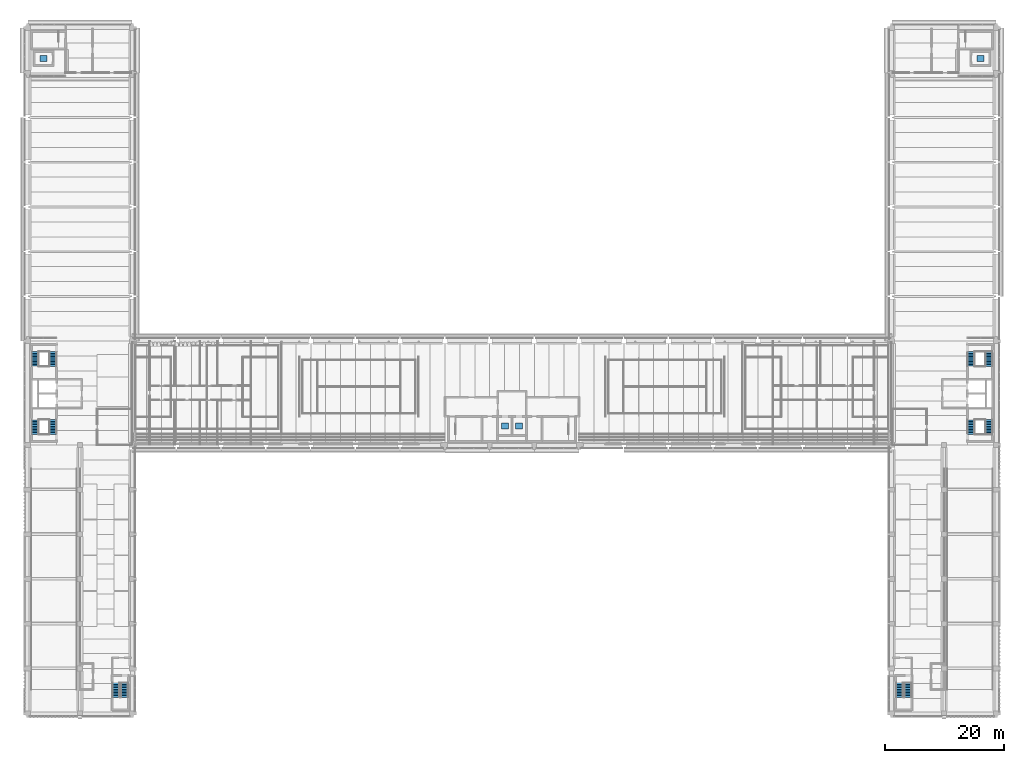
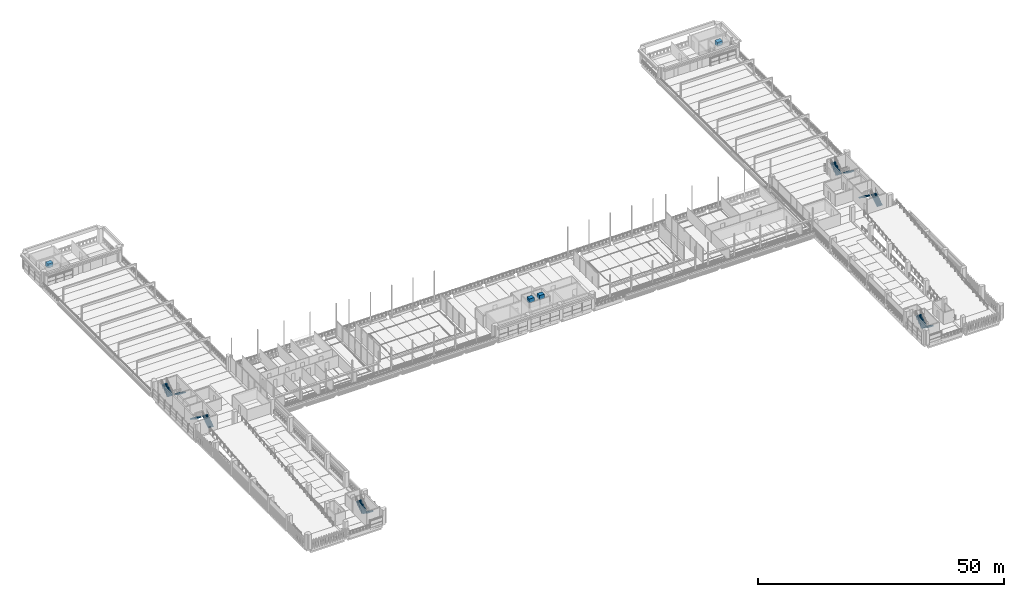
# One storey, part 47 of 62: 12 stair flights, 4 discrete accessories, 6 elements without a shape of their own.
"""IFC4 building model written with IfcOpenShell, lengths in metres."""

from ifc_helpers import new_model, si_unit, direction, frame, origin, origin_2d, place, context, subcontext, project, spatial, polyline, rectangle, outline, extrude, material, type_object, element, aggregate, save


model = new_model("IFC4")

# Units and contexts
model_context = context("Model", 3, precision=1e-05, world=origin(), true_north=direction((0.0, 1.0)))
body_context = subcontext(model_context, "Body", "Model", "MODEL_VIEW")
ifc_project = project(units=[si_unit("LENGTHUNIT", "METRE"), si_unit("AREAUNIT", "SQUARE_METRE"), si_unit("VOLUMEUNIT", "CUBIC_METRE"), si_unit("PLANEANGLEUNIT", "RADIAN"), si_unit("MASSUNIT", "GRAM", prefix="KILO")], contexts=[model_context])

# Site, building, storey
site_placement = place(None, origin())
site = spatial("IfcSite", under=ifc_project, at=site_placement, CompositionType="ELEMENT")
building_placement = place(site_placement, origin())
building = spatial("IfcBuilding", under=site, at=building_placement, Name="Cour d'Honneur Mobility Palace", CompositionType="ELEMENT")
storey_placement = place(building_placement, frame((0.0, 0.0, 19.300048828125)))
storey = spatial("IfcBuildingStorey", under=building, at=storey_placement, Name="L05", CompositionType="ELEMENT", Elevation=19.300048828125)

# Stair, stair flights
ifc_material_1 = material(Name="Concrete C50", Category="concrete")
stair_type = type_object("IfcStairType", Name="Stair 20 risers", PredefinedType="HALF_TURN_STAIR", material=ifc_material_1)
stair_1_placement = place(storey_placement, origin())
stair_1 = element("IfcStair", 1, at=stair_1_placement, inside=storey, type_object=stair_type, Name="Stair ST-CW1", PredefinedType="HALF_TURN_STAIR")
ifc_material_2 = material(Name="Concrete C50", Category="concrete")
stair_flight_type = type_object("IfcStairFlightType", Name="Stair flight 1250", PredefinedType="STRAIGHT", material=ifc_material_2)
stair_flight_1_placement = place(storey_placement, frame((4.175048828125, 46.77490234375, 0.0), z_axis=(0.0, 0.0, 1.0), x_axis=(0.0, 1.0, 0.0)))
stair_flight_1 = element("IfcStairFlight", 2, at=stair_flight_1_placement, type_object=stair_flight_type, Name="ST-CW1 flight 1", NumberOfRisers=10, NumberOfTreads=9, PredefinedType="STRAIGHT", RiserHeight=0.185, TreadLength=0.27, context=body_context, shape_type="SweptSolid", body=[
    extrude(outline(polyline([(0.0, 0.0), (0.0, 0.18505859375), (0.27001953125, 0.18505859375), (0.27001953125, 0.3701171875), (0.5400390625, 0.3701171875), (0.5400390625, 0.554931640625), (0.81005859375, 0.554931640625), (0.81005859375, 0.739990234375), (1.080078125, 0.739990234375), (1.080078125, 0.925048828125), (1.35009765625, 0.925048828125), (1.35009765625, 1.110107421875), (1.6201171875, 1.110107421875), (1.6201171875, 1.294921875), (1.889892578125, 1.294921875), (1.889892578125, 1.47998046875), (2.159912109375, 1.47998046875), (2.159912109375, 1.6650390625), (2.429931640625, 1.6650390625), (2.47998046875, 1.6650390625), (2.47998046875, 1.4833984375), (0.26513671875, 0.0), (0.0, 0.0)])), frame((0.0, 0.625, 0.0), z_axis=(0.0, -1.0, 0.0), x_axis=(1.0, 0.0, 0.0)), (0.0, 0.0, 1.0), 1.25),
])
stair_flight_2_placement = place(storey_placement, frame((1.199951171875, 49.205078125, 1.849853515625), z_axis=(0.0, 0.0, 1.0), x_axis=(0.0, -1.0, 0.0)))
stair_flight_2 = element("IfcStairFlight", 3, at=stair_flight_2_placement, type_object=stair_flight_type, Name="ST-CW1 flight 2", NumberOfRisers=10, NumberOfTreads=9, PredefinedType="STRAIGHT", RiserHeight=0.185, TreadLength=0.27, context=body_context, shape_type="SweptSolid", body=[
    extrude(outline(polyline([(0.0, 0.0), (0.0, 0.18505859375), (0.27001953125, 0.18505859375), (0.27001953125, 0.3701171875), (0.5400390625, 0.3701171875), (0.5400390625, 0.554931640625), (0.81005859375, 0.554931640625), (0.81005859375, 0.739990234375), (1.080078125, 0.739990234375), (1.080078125, 0.925048828125), (1.35009765625, 0.925048828125), (1.35009765625, 1.110107421875), (1.6201171875, 1.110107421875), (1.6201171875, 1.294921875), (1.889892578125, 1.294921875), (1.889892578125, 1.47998046875), (2.159912109375, 1.47998046875), (2.159912109375, 1.6650390625), (2.429931640625, 1.6650390625), (2.47998046875, 1.6650390625), (2.47998046875, 1.4833984375), (0.26513671875, 0.0), (0.0, 0.0)])), frame((0.0, 0.625, 0.0), z_axis=(0.0, -1.0, 0.0), x_axis=(1.0, 0.0, 0.0)), (0.0, 0.0, 1.0), 1.25),
])
aggregate(stair_1, [stair_flight_1, stair_flight_2])

stair_2_placement = place(storey_placement, origin())
stair_2 = element("IfcStair", 4, at=stair_2_placement, inside=storey, type_object=stair_type, Name="Stair ST-CW2", PredefinedType="HALF_TURN_STAIR")
stair_flight_3_placement = place(storey_placement, frame((4.175048828125, 60.625, 0.0), z_axis=(0.0, 0.0, 1.0), x_axis=(0.0, -1.0, 0.0)))
stair_flight_3 = element("IfcStairFlight", 5, at=stair_flight_3_placement, type_object=stair_flight_type, Name="ST-CW2 flight 1", NumberOfRisers=10, NumberOfTreads=9, PredefinedType="STRAIGHT", RiserHeight=0.185, TreadLength=0.27, context=body_context, shape_type="SweptSolid", body=[
    extrude(outline(polyline([(0.0, 0.0), (0.0, 0.18505859375), (0.27001953125, 0.18505859375), (0.27001953125, 0.3701171875), (0.5400390625, 0.3701171875), (0.5400390625, 0.554931640625), (0.81005859375, 0.554931640625), (0.81005859375, 0.739990234375), (1.080078125, 0.739990234375), (1.080078125, 0.925048828125), (1.35009765625, 0.925048828125), (1.35009765625, 1.110107421875), (1.6201171875, 1.110107421875), (1.6201171875, 1.294921875), (1.889892578125, 1.294921875), (1.889892578125, 1.47998046875), (2.159912109375, 1.47998046875), (2.159912109375, 1.6650390625), (2.429931640625, 1.6650390625), (2.47998046875, 1.6650390625), (2.47998046875, 1.4833984375), (0.26513671875, 0.0), (0.0, 0.0)])), frame((0.0, 0.625, 0.0), z_axis=(0.0, -1.0, 0.0), x_axis=(1.0, 0.0, 0.0)), (0.0, 0.0, 1.0), 1.25),
])
stair_flight_4_placement = place(storey_placement, frame((1.199951171875, 58.195068359375, 1.849853515625), z_axis=(0.0, 0.0, 1.0), x_axis=(0.0, 1.0, 0.0)))
stair_flight_4 = element("IfcStairFlight", 6, at=stair_flight_4_placement, type_object=stair_flight_type, Name="ST-CW2 flight 2", NumberOfRisers=10, NumberOfTreads=9, PredefinedType="STRAIGHT", RiserHeight=0.185, TreadLength=0.27, context=body_context, shape_type="SweptSolid", body=[
    extrude(outline(polyline([(0.0, 0.0), (0.0, 0.18505859375), (0.27001953125, 0.18505859375), (0.27001953125, 0.3701171875), (0.5400390625, 0.3701171875), (0.5400390625, 0.554931640625), (0.81005859375, 0.554931640625), (0.81005859375, 0.739990234375), (1.080078125, 0.739990234375), (1.080078125, 0.925048828125), (1.35009765625, 0.925048828125), (1.35009765625, 1.110107421875), (1.6201171875, 1.110107421875), (1.6201171875, 1.294921875), (1.889892578125, 1.294921875), (1.889892578125, 1.47998046875), (2.159912109375, 1.47998046875), (2.159912109375, 1.6650390625), (2.429931640625, 1.6650390625), (2.47998046875, 1.6650390625), (2.47998046875, 1.4833984375), (0.26513671875, 0.0), (0.0, 0.0)])), frame((0.0, 0.625, 0.0), z_axis=(0.0, -1.0, 0.0), x_axis=(1.0, 0.0, 0.0)), (0.0, 0.0, 1.0), 1.25),
])
aggregate(stair_2, [stair_flight_3, stair_flight_4])

stair_3_placement = place(storey_placement, origin())
stair_3 = element("IfcStair", 7, at=stair_3_placement, inside=storey, type_object=stair_type, Name="Stair ST-CE1", PredefinedType="HALF_TURN_STAIR")
stair_flight_5_placement = place(storey_placement, frame((161.10009765625, 46.77490234375, 0.0), z_axis=(0.0, 0.0, 1.0), x_axis=(0.0, 1.0, 0.0)))
stair_flight_5 = element("IfcStairFlight", 8, at=stair_flight_5_placement, type_object=stair_flight_type, Name="ST-CE1 flight 1", NumberOfRisers=10, NumberOfTreads=9, PredefinedType="STRAIGHT", RiserHeight=0.185, TreadLength=0.27, context=body_context, shape_type="SweptSolid", body=[
    extrude(outline(polyline([(0.0, 0.0), (0.0, 0.18505859375), (0.27001953125, 0.18505859375), (0.27001953125, 0.3701171875), (0.5400390625, 0.3701171875), (0.5400390625, 0.554931640625), (0.81005859375, 0.554931640625), (0.81005859375, 0.739990234375), (1.080078125, 0.739990234375), (1.080078125, 0.925048828125), (1.35009765625, 0.925048828125), (1.35009765625, 1.110107421875), (1.6201171875, 1.110107421875), (1.6201171875, 1.294921875), (1.889892578125, 1.294921875), (1.889892578125, 1.47998046875), (2.159912109375, 1.47998046875), (2.159912109375, 1.6650390625), (2.429931640625, 1.6650390625), (2.47998046875, 1.6650390625), (2.47998046875, 1.4833984375), (0.26513671875, 0.0), (0.0, 0.0)])), frame((0.0, 0.625, 0.0), z_axis=(0.0, -1.0, 0.0), x_axis=(1.0, 0.0, 0.0)), (0.0, 0.0, 1.0), 1.25),
])
stair_flight_6_placement = place(storey_placement, frame((158.125, 49.205078125, 1.849853515625), z_axis=(0.0, 0.0, 1.0), x_axis=(0.0, -1.0, 0.0)))
stair_flight_6 = element("IfcStairFlight", 9, at=stair_flight_6_placement, type_object=stair_flight_type, Name="ST-CE1 flight 2", NumberOfRisers=10, NumberOfTreads=9, PredefinedType="STRAIGHT", RiserHeight=0.185, TreadLength=0.27, context=body_context, shape_type="SweptSolid", body=[
    extrude(outline(polyline([(0.0, 0.0), (0.0, 0.18505859375), (0.27001953125, 0.18505859375), (0.27001953125, 0.3701171875), (0.5400390625, 0.3701171875), (0.5400390625, 0.554931640625), (0.81005859375, 0.554931640625), (0.81005859375, 0.739990234375), (1.080078125, 0.739990234375), (1.080078125, 0.925048828125), (1.35009765625, 0.925048828125), (1.35009765625, 1.110107421875), (1.6201171875, 1.110107421875), (1.6201171875, 1.294921875), (1.889892578125, 1.294921875), (1.889892578125, 1.47998046875), (2.159912109375, 1.47998046875), (2.159912109375, 1.6650390625), (2.429931640625, 1.6650390625), (2.47998046875, 1.6650390625), (2.47998046875, 1.4833984375), (0.26513671875, 0.0), (0.0, 0.0)])), frame((0.0, 0.625, 0.0), z_axis=(0.0, -1.0, 0.0), x_axis=(1.0, 0.0, 0.0)), (0.0, 0.0, 1.0), 1.25),
])
aggregate(stair_3, [stair_flight_5, stair_flight_6])

stair_4_placement = place(storey_placement, origin())
stair_4 = element("IfcStair", 10, at=stair_4_placement, inside=storey, type_object=stair_type, Name="Stair ST-CE2", PredefinedType="HALF_TURN_STAIR")
stair_flight_7_placement = place(storey_placement, frame((161.10009765625, 60.625, 0.0), z_axis=(0.0, 0.0, 1.0), x_axis=(0.0, -1.0, 0.0)))
stair_flight_7 = element("IfcStairFlight", 11, at=stair_flight_7_placement, type_object=stair_flight_type, Name="ST-CE2 flight 1", NumberOfRisers=10, NumberOfTreads=9, PredefinedType="STRAIGHT", RiserHeight=0.185, TreadLength=0.27, context=body_context, shape_type="SweptSolid", body=[
    extrude(outline(polyline([(0.0, 0.0), (0.0, 0.18505859375), (0.27001953125, 0.18505859375), (0.27001953125, 0.3701171875), (0.5400390625, 0.3701171875), (0.5400390625, 0.554931640625), (0.81005859375, 0.554931640625), (0.81005859375, 0.739990234375), (1.080078125, 0.739990234375), (1.080078125, 0.925048828125), (1.35009765625, 0.925048828125), (1.35009765625, 1.110107421875), (1.6201171875, 1.110107421875), (1.6201171875, 1.294921875), (1.889892578125, 1.294921875), (1.889892578125, 1.47998046875), (2.159912109375, 1.47998046875), (2.159912109375, 1.6650390625), (2.429931640625, 1.6650390625), (2.47998046875, 1.6650390625), (2.47998046875, 1.4833984375), (0.26513671875, 0.0), (0.0, 0.0)])), frame((0.0, 0.625, 0.0), z_axis=(0.0, -1.0, 0.0), x_axis=(1.0, 0.0, 0.0)), (0.0, 0.0, 1.0), 1.25),
])
stair_flight_8_placement = place(storey_placement, frame((158.125, 58.195068359375, 1.849853515625), z_axis=(0.0, 0.0, 1.0), x_axis=(0.0, 1.0, 0.0)))
stair_flight_8 = element("IfcStairFlight", 12, at=stair_flight_8_placement, type_object=stair_flight_type, Name="ST-CE2 flight 2", NumberOfRisers=10, NumberOfTreads=9, PredefinedType="STRAIGHT", RiserHeight=0.185, TreadLength=0.27, context=body_context, shape_type="SweptSolid", body=[
    extrude(outline(polyline([(0.0, 0.0), (0.0, 0.18505859375), (0.27001953125, 0.18505859375), (0.27001953125, 0.3701171875), (0.5400390625, 0.3701171875), (0.5400390625, 0.554931640625), (0.81005859375, 0.554931640625), (0.81005859375, 0.739990234375), (1.080078125, 0.739990234375), (1.080078125, 0.925048828125), (1.35009765625, 0.925048828125), (1.35009765625, 1.110107421875), (1.6201171875, 1.110107421875), (1.6201171875, 1.294921875), (1.889892578125, 1.294921875), (1.889892578125, 1.47998046875), (2.159912109375, 1.47998046875), (2.159912109375, 1.6650390625), (2.429931640625, 1.6650390625), (2.47998046875, 1.6650390625), (2.47998046875, 1.4833984375), (0.26513671875, 0.0), (0.0, 0.0)])), frame((0.0, 0.625, 0.0), z_axis=(0.0, -1.0, 0.0), x_axis=(1.0, 0.0, 0.0)), (0.0, 0.0, 1.0), 1.25),
])
aggregate(stair_4, [stair_flight_7, stair_flight_8])

stair_5_placement = place(storey_placement, origin())
stair_5 = element("IfcStair", 13, at=stair_5_placement, inside=storey, type_object=stair_type, Name="Stair ST-RW1", PredefinedType="HALF_TURN_STAIR")
stair_flight_9_placement = place(storey_placement, frame((16.199951171875, 5.10009765625, 0.0), z_axis=(0.0, 0.0, 1.0), x_axis=(0.0, -1.0, 0.0)))
stair_flight_9 = element("IfcStairFlight", 14, at=stair_flight_9_placement, type_object=stair_flight_type, Name="ST-RW1 flight 1", NumberOfRisers=10, NumberOfTreads=9, PredefinedType="STRAIGHT", RiserHeight=0.185, TreadLength=0.27, context=body_context, shape_type="SweptSolid", body=[
    extrude(outline(polyline([(0.0, 0.0), (0.0, 0.18505859375), (0.27001953125, 0.18505859375), (0.27001953125, 0.3701171875), (0.5400390625, 0.3701171875), (0.5400390625, 0.554931640625), (0.81005859375, 0.554931640625), (0.81005859375, 0.739990234375), (1.080078125, 0.739990234375), (1.080078125, 0.925048828125), (1.35009765625, 0.925048828125), (1.35009765625, 1.110107421875), (1.6201171875, 1.110107421875), (1.6201171875, 1.294921875), (1.889892578125, 1.294921875), (1.889892578125, 1.47998046875), (2.159912109375, 1.47998046875), (2.159912109375, 1.6650390625), (2.429931640625, 1.6650390625), (2.47998046875, 1.6650390625), (2.47998046875, 1.4833984375), (0.26513671875, 0.0), (0.0, 0.0)])), frame((0.0, 0.625, 0.0), z_axis=(0.0, -1.0, 0.0), x_axis=(1.0, 0.0, 0.0)), (0.0, 0.0, 1.0), 1.25),
])
stair_flight_10_placement = place(storey_placement, frame((14.72509765625, 2.669921875, 1.849853515625), z_axis=(0.0, 0.0, 1.0), x_axis=(0.0, 1.0, 0.0)))
stair_flight_10 = element("IfcStairFlight", 15, at=stair_flight_10_placement, type_object=stair_flight_type, Name="ST-RW1 flight 2", NumberOfRisers=10, NumberOfTreads=9, PredefinedType="STRAIGHT", RiserHeight=0.185, TreadLength=0.27, context=body_context, shape_type="SweptSolid", body=[
    extrude(outline(polyline([(0.0, 0.0), (0.0, 0.18505859375), (0.27001953125, 0.18505859375), (0.27001953125, 0.3701171875), (0.5400390625, 0.3701171875), (0.5400390625, 0.554931640625), (0.81005859375, 0.554931640625), (0.81005859375, 0.739990234375), (1.080078125, 0.739990234375), (1.080078125, 0.925048828125), (1.35009765625, 0.925048828125), (1.35009765625, 1.110107421875), (1.6201171875, 1.110107421875), (1.6201171875, 1.294921875), (1.889892578125, 1.294921875), (1.889892578125, 1.47998046875), (2.159912109375, 1.47998046875), (2.159912109375, 1.6650390625), (2.429931640625, 1.6650390625), (2.47998046875, 1.6650390625), (2.47998046875, 1.4833984375), (0.26513671875, 0.0), (0.0, 0.0)])), frame((0.0, 0.625, 0.0), z_axis=(0.0, -1.0, 0.0), x_axis=(1.0, 0.0, 0.0)), (0.0, 0.0, 1.0), 1.25),
])
aggregate(stair_5, [stair_flight_9, stair_flight_10])

stair_6_placement = place(storey_placement, origin())
stair_6 = element("IfcStair", 16, at=stair_6_placement, inside=storey, type_object=stair_type, Name="Stair ST-RE1", PredefinedType="HALF_TURN_STAIR")
stair_flight_11_placement = place(storey_placement, frame((147.574951171875, 5.10009765625, 0.0), z_axis=(0.0, 0.0, 1.0), x_axis=(0.0, -1.0, 0.0)))
stair_flight_11 = element("IfcStairFlight", 17, at=stair_flight_11_placement, type_object=stair_flight_type, Name="ST-RE1 flight 1", NumberOfRisers=10, NumberOfTreads=9, PredefinedType="STRAIGHT", RiserHeight=0.185, TreadLength=0.27, context=body_context, shape_type="SweptSolid", body=[
    extrude(outline(polyline([(0.0, 0.0), (0.0, 0.18505859375), (0.27001953125, 0.18505859375), (0.27001953125, 0.3701171875), (0.5400390625, 0.3701171875), (0.5400390625, 0.554931640625), (0.81005859375, 0.554931640625), (0.81005859375, 0.739990234375), (1.080078125, 0.739990234375), (1.080078125, 0.925048828125), (1.35009765625, 0.925048828125), (1.35009765625, 1.110107421875), (1.6201171875, 1.110107421875), (1.6201171875, 1.294921875), (1.889892578125, 1.294921875), (1.889892578125, 1.47998046875), (2.159912109375, 1.47998046875), (2.159912109375, 1.6650390625), (2.429931640625, 1.6650390625), (2.47998046875, 1.6650390625), (2.47998046875, 1.4833984375), (0.26513671875, 0.0), (0.0, 0.0)])), frame((0.0, 0.625, 0.0), z_axis=(0.0, -1.0, 0.0), x_axis=(1.0, 0.0, 0.0)), (0.0, 0.0, 1.0), 1.25),
])
stair_flight_12_placement = place(storey_placement, frame((146.10009765625, 2.669921875, 1.849853515625), z_axis=(0.0, 0.0, 1.0), x_axis=(0.0, 1.0, 0.0)))
stair_flight_12 = element("IfcStairFlight", 18, at=stair_flight_12_placement, type_object=stair_flight_type, Name="ST-RE1 flight 2", NumberOfRisers=10, NumberOfTreads=9, PredefinedType="STRAIGHT", RiserHeight=0.185, TreadLength=0.27, context=body_context, shape_type="SweptSolid", body=[
    extrude(outline(polyline([(0.0, 0.0), (0.0, 0.18505859375), (0.27001953125, 0.18505859375), (0.27001953125, 0.3701171875), (0.5400390625, 0.3701171875), (0.5400390625, 0.554931640625), (0.81005859375, 0.554931640625), (0.81005859375, 0.739990234375), (1.080078125, 0.739990234375), (1.080078125, 0.925048828125), (1.35009765625, 0.925048828125), (1.35009765625, 1.110107421875), (1.6201171875, 1.110107421875), (1.6201171875, 1.294921875), (1.889892578125, 1.294921875), (1.889892578125, 1.47998046875), (2.159912109375, 1.47998046875), (2.159912109375, 1.6650390625), (2.429931640625, 1.6650390625), (2.47998046875, 1.6650390625), (2.47998046875, 1.4833984375), (0.26513671875, 0.0), (0.0, 0.0)])), frame((0.0, 0.625, 0.0), z_axis=(0.0, -1.0, 0.0), x_axis=(1.0, 0.0, 0.0)), (0.0, 0.0, 1.0), 1.25),
])
aggregate(stair_6, [stair_flight_11, stair_flight_12])

# Discrete accessories
ifc_material_3 = material(Name="Steel S355", Category="steel")
discrete_accessory_type = type_object("IfcDiscreteAccessoryType", Name="Lift machine", PredefinedType="USERDEFINED", material=ifc_material_3)
for number, where, z_axis, x_axis, name in (
    (19, (79.949951171875, 48.199951171875, 3.949951171875), (0.0, 0.0, 1.0), (1.0, 0.0, 0.0), "Lift machine LF-CC1"),
    (20, (82.35009765625, 48.199951171875, 3.949951171875), (0.0, 0.0, 1.0), (1.0, 0.0, 0.0), "Lift machine LF-CC2"),
    (21, (2.60009765625, 109.800048828125, 2.349853515625), (0.0, 0.0, 1.0), (1.0, 0.0, 0.0), "Lift machine LF-NW1"),
    (22, (159.699951171875, 109.800048828125, 2.349853515625), (0.0, 0.0, 1.0), (1.0, 0.0, 0.0), "Lift machine LF-NE1"),
):
    element("IfcDiscreteAccessory", number, at=place(storey_placement, frame(where, z_axis=z_axis, x_axis=x_axis)), inside=storey, type_object=discrete_accessory_type, Name=name, ObjectType="LIFT MACHINE", PredefinedType="USERDEFINED", context=body_context, shape_type="SweptSolid", body=[
        extrude(rectangle(XDim=1.199951171875, YDim=1.0, at=origin_2d()), origin(), (0.0, 0.0, 1.0), 1.0),
    ])

save(model, "model.ifc")
